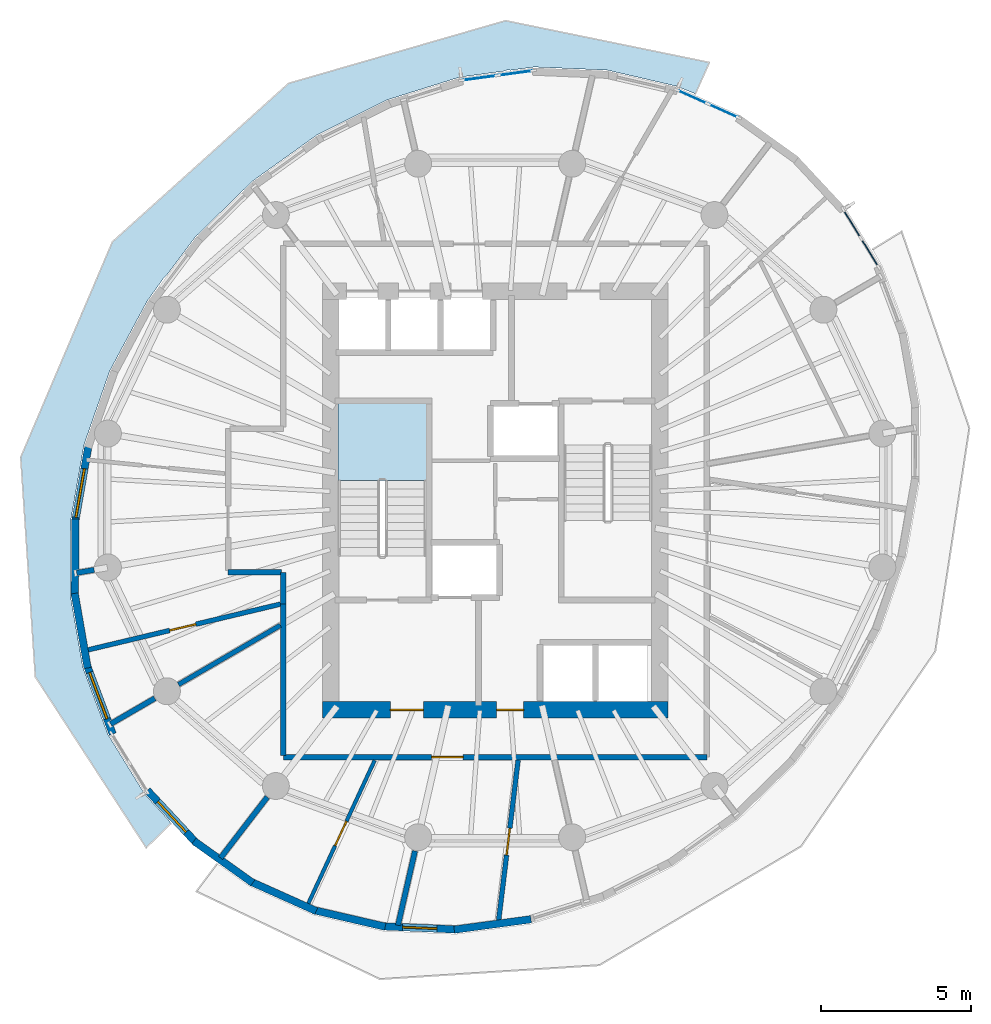
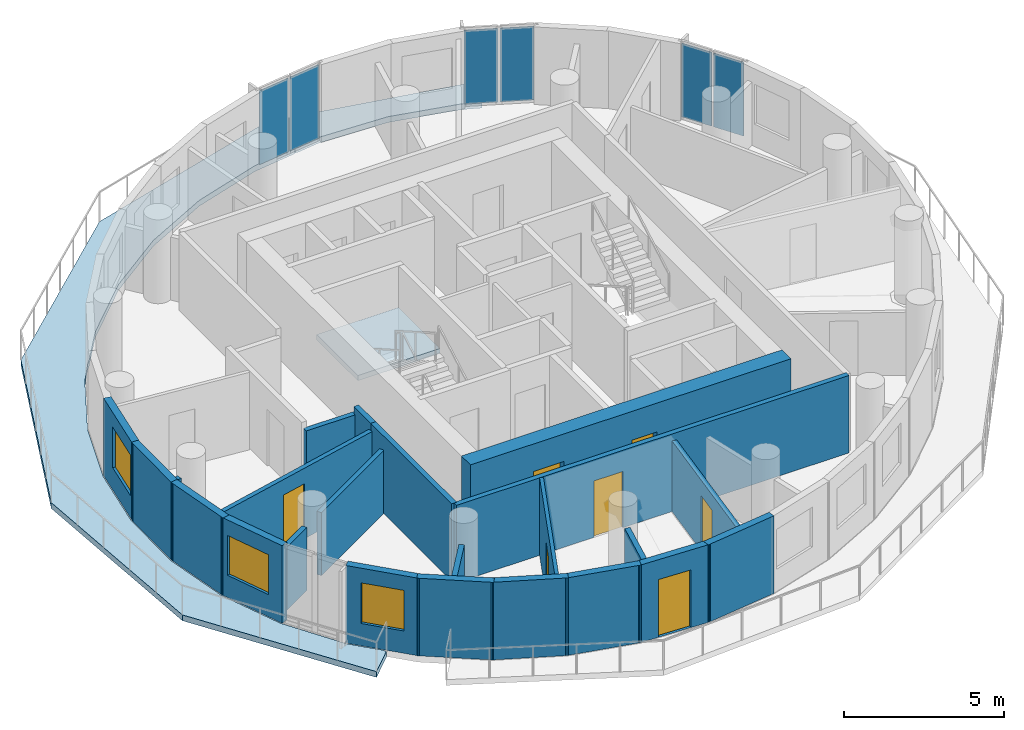
# One storey, part 4 of 10: 23 walls, 7 doors, 6 plates, 3 windows, 2 slabs, 10 openings, 4 elements without a shape of their own.
"""IFC4 building model written with IfcOpenShell, lengths in metres."""

from ifc_helpers import new_model, si_unit, direction, frame, frame_2d, origin, origin_2d, place, context, subcontext, project, spatial, polyline, rectangle, outline, extrude, material, layer, layer_set, type_object, element, fill, aggregate, save


model = new_model("IFC4")

# Units and contexts
model_context = context("Model", 3, precision=1e-05, world=origin(), true_north=direction((0.0, 1.0)))
body_context = subcontext(model_context, "Body", "Model", "MODEL_VIEW")
ifc_project = project(units=[si_unit("LENGTHUNIT", "METRE"), si_unit("AREAUNIT", "SQUARE_METRE"), si_unit("VOLUMEUNIT", "CUBIC_METRE"), si_unit("PLANEANGLEUNIT", "RADIAN"), si_unit("MASSUNIT", "GRAM", prefix="KILO")], contexts=[model_context])

# Site, building, storey
site_placement = place(None, origin())
site = spatial("IfcSite", under=ifc_project, at=site_placement, CompositionType="ELEMENT")
building_placement = place(site_placement, origin())
building = spatial("IfcBuilding", under=site, at=building_placement, Name="Veldorim Arch Residences", CompositionType="ELEMENT")
storey_placement = place(building_placement, frame((0.0, 0.0, 195.0400390625)))
storey = spatial("IfcBuildingStorey", under=building, at=storey_placement, Name="L58", CompositionType="ELEMENT", Elevation=195.0400390625)

# Slab
ifc_material_1 = material(Name="Concrete C40/50", Category="concrete")
ifc_layer_1 = layer(ifc_material_1, 0.219970703125, Name="Planted Crescent Cantilever Balcony Slab 220")
ifc_layer_set_1 = layer_set([ifc_layer_1], Name="Concrete C40/50")
slab_type_1 = type_object("IfcSlabType", Name="Planted Crescent Cantilever Balcony Slab 220", PredefinedType="FLOOR", material=ifc_layer_set_1)
slab_1_placement = place(storey_placement, frame((0.0, 0.0, -0.219970703125)))
element("IfcSlab", 1, at=slab_1_placement, inside=storey, type_object=slab_type_1, Name="L58 planted crescent balcony slab A", PredefinedType="FLOOR", context=body_context, shape_type="SweptSolid", body=[
    extrude(outline(polyline([(38.6943359375, 37.596923828125), (38.08203125, 37.847900390625), (35.75146484375, 38.38916015625), (33.30712890625, 38.4931640625), (32.510986328125, 38.38525390625), (32.41552734375, 38.3974609375), (32.296142578125, 38.356201171875), (30.8232421875, 38.156494140625), (28.37548828125, 37.39013671875), (26.03759765625, 36.216796875), (23.881103515625, 34.672607421875), (21.97119140625, 32.80419921875), (21.01513671875, 31.5322265625), (20.925537109375, 31.44921875), (20.365966796875, 30.66845703125), (19.114013671875, 28.330078125), (18.25341796875, 25.860107421875), (17.810302734375, 23.33349609375), (17.798095703125, 20.8271484375), (18.2177734375, 18.416748046875), (19.05615234375, 16.176025390625), (20.2880859375, 14.1728515625), (21.091552734375, 13.310546875), (21.154541015625, 13.1953125), (20.331787109375, 12.391845703125), (16.625, 18.103515625), (16.1357421875, 25.444091796875), (19.202880859375, 32.650146484375), (25.09033203125, 37.9462890625), (32.3486328125, 40.043701171875), (39.163330078125, 38.64697265625), (38.6943359375, 37.596923828125)])), origin(), (0.0, 0.0, 1.0), 0.219970703125),
])

# Stair, slab
ifc_material_2 = material(Name="Concrete C40/50", Category="concrete")
stair_type = type_object("IfcStairType", Name="Reinforced Concrete Dogleg Exit Staircase", PredefinedType="HALF_TURN_STAIR", material=ifc_material_2)
stair_placement = place(storey_placement, origin())
stair = element("IfcStair", 2, at=stair_placement, inside=storey, type_object=stair_type, Name="L58 Exit Staircase ST-1", PredefinedType="HALF_TURN_STAIR")
ifc_material_3 = material(Name="Concrete C40/50", Category="concrete")
ifc_layer_2 = layer(ifc_material_3, 0.199951171875, Name="Reinforced Concrete Stair Landing 200")
ifc_layer_set_2 = layer_set([ifc_layer_2], Name="Concrete C40/50")
slab_type_2 = type_object("IfcSlabType", Name="Reinforced Concrete Stair Landing 200", PredefinedType="LANDING", material=ifc_layer_set_2)
slab_2_placement = place(storey_placement, frame((0.0, 0.0, 1.39990234375)))
slab_2 = element("IfcSlab", 3, at=slab_2_placement, type_object=slab_type_2, Name="ST-1 landing 1", PredefinedType="LANDING", context=body_context, shape_type="SweptSolid", body=[
    extrude(outline(polyline([(29.7099609375, 24.669921875), (29.7099609375, 27.25), (26.75, 27.25), (26.75, 24.669921875), (29.7099609375, 24.669921875)])), origin(), (0.0, 0.0, 1.0), 0.199951171875),
])
aggregate(stair, [slab_2])

# Curtain wall, plates
ifc_material_4 = material(Name="Aluminium", Category="aluminium")
curtain_wall_type = type_object("IfcCurtainWallType", Name="Zone 4 High-Altitude Unitised Curtain Wall", PredefinedType="NOTDEFINED", material=ifc_material_4)
curtain_wall_1_placement = place(storey_placement, origin())
curtain_wall_1 = element("IfcCurtainWall", 4, at=curtain_wall_1_placement, inside=storey, type_object=curtain_wall_type, Name="L58 unitised curtain wall bay 02", PredefinedType="NOTDEFINED")
ifc_material_5 = material(Name="Laminated Low-E Glass", Category="glass")
ifc_layer_3 = layer(ifc_material_5, 0.030029296875, Name="Zone 4 High-Altitude Unitised Curtain Wall Glazing Panel 30")
ifc_layer_set_3 = layer_set([ifc_layer_3], Name="Laminated Low-E Glass")
plate_type = type_object("IfcPlateType", Name="Zone 4 High-Altitude Unitised Curtain Wall Glazing Panel 30", PredefinedType="CURTAIN_PANEL", material=ifc_layer_set_3)
plate_1_placement = place(storey_placement, frame((38.58984375, 37.494384765625, 0.074951171875), z_axis=(0.0, 0.0, 1.0), x_axis=(0.912467637133, -0.409148886329, 0.0)))
plate_1 = element("IfcPlate", 5, at=plate_1_placement, type_object=plate_type, Name="CW-Z4 panel 1.1", PredefinedType="CURTAIN_PANEL", context=body_context, shape_type="SweptSolid", body=[
    extrude(rectangle(XDim=1.060791015625, YDim=0.030029296875, at=origin_2d()), origin(), (0.0, 0.0, 1.0), 2.81005859375),
])
plate_2_placement = place(storey_placement, frame((39.626220703125, 37.029541015625, 0.074951171875), z_axis=(0.0, 0.0, 1.0), x_axis=(0.912467637133, -0.409148886329, 0.0)))
plate_2 = element("IfcPlate", 6, at=plate_2_placement, type_object=plate_type, Name="CW-Z4 panel 2.1", PredefinedType="CURTAIN_PANEL", context=body_context, shape_type="SweptSolid", body=[
    extrude(rectangle(XDim=1.060791015625, YDim=0.030029296875, at=origin_2d()), origin(), (0.0, 0.0, 1.0), 2.81005859375),
])
aggregate(curtain_wall_1, [plate_1, plate_2])

curtain_wall_2_placement = place(storey_placement, origin())
curtain_wall_2 = element("IfcCurtainWall", 7, at=curtain_wall_2_placement, inside=storey, type_object=curtain_wall_type, Name="L58 unitised curtain wall bay 05", PredefinedType="NOTDEFINED")
plate_3_placement = place(storey_placement, frame((31.479248046875, 38.12939453125, 0.074951171875), z_axis=(0.0, 0.0, 1.0), x_axis=(0.990948225119, 0.134244609331, 0.0)))
plate_3 = element("IfcPlate", 8, at=plate_3_placement, type_object=plate_type, Name="CW-Z4 panel 1.1", PredefinedType="CURTAIN_PANEL", context=body_context, shape_type="SweptSolid", body=[
    extrude(rectangle(XDim=1.138671875, YDim=0.030029296875, at=origin_2d()), origin(), (0.0, 0.0, 1.0), 2.81005859375),
])
plate_4_placement = place(storey_placement, frame((32.681884765625, 38.292236328125, 0.074951171875), z_axis=(0.0, 0.0, 1.0), x_axis=(0.990948225119, 0.134244609331, 0.0)))
plate_4 = element("IfcPlate", 9, at=plate_4_placement, type_object=plate_type, Name="CW-Z4 panel 2.1", PredefinedType="CURTAIN_PANEL", context=body_context, shape_type="SweptSolid", body=[
    extrude(rectangle(XDim=1.138671875, YDim=0.030029296875, at=origin_2d()), origin(), (0.0, 0.0, 1.0), 2.81005859375),
])
aggregate(curtain_wall_2, [plate_3, plate_4])

curtain_wall_3_placement = place(storey_placement, origin())
curtain_wall_3 = element("IfcCurtainWall", 10, at=curtain_wall_3_placement, inside=storey, type_object=curtain_wall_type, Name="L58 unitised curtain wall bay 35", PredefinedType="NOTDEFINED")
plate_5_placement = place(storey_placement, frame((43.932373046875, 33.249267578125, 0.074951171875), z_axis=(0.0, 0.0, 1.0), x_axis=(0.523864415023, -0.851801663929, 0.0)))
plate_5 = element("IfcPlate", 11, at=plate_5_placement, type_object=plate_type, Name="CW-Z4 panel 1.1", PredefinedType="CURTAIN_PANEL", context=body_context, shape_type="SweptSolid", body=[
    extrude(rectangle(XDim=1.060791015625, YDim=0.030029296875, at=origin_2d()), origin(), (0.0, 0.0, 1.0), 2.81005859375),
])
plate_6_placement = place(storey_placement, frame((44.52734375, 32.28173828125, 0.074951171875), z_axis=(0.0, 0.0, 1.0), x_axis=(0.523864415023, -0.851801663929, 0.0)))
plate_6 = element("IfcPlate", 12, at=plate_6_placement, type_object=plate_type, Name="CW-Z4 panel 2.1", PredefinedType="CURTAIN_PANEL", context=body_context, shape_type="SweptSolid", body=[
    extrude(rectangle(XDim=1.060791015625, YDim=0.030029296875, at=origin_2d()), origin(), (0.0, 0.0, 1.0), 2.81005859375),
])
aggregate(curtain_wall_3, [plate_5, plate_6])

# Wall, opening, door
ifc_material_6 = material(Name="Acoustic Gypsum Board", Category="gypsum")
ifc_layer_4 = layer(ifc_material_6, 0.125, Name="Acoustic Stud Room Partition Wall 125")
ifc_layer_set_4 = layer_set([ifc_layer_4], Name="Acoustic Gypsum Board")
wall_type_1 = type_object("IfcWallType", Name="Acoustic Stud Room Partition Wall 125", PredefinedType="PARTITIONING", material=ifc_layer_set_4)
wall_1_placement = place(storey_placement, frame((25.70751953125, 10.427001953125, 0.0), z_axis=(0.0, 0.0, 1.0), x_axis=(0.420587579127, 0.907251943114, 0.0)))
wall_1 = element("IfcWall", 13, at=wall_1_placement, inside=storey, type_object=wall_type_1, Name="L58 interior wall WL-RES-L58-012", PredefinedType="PARTITIONING", context=body_context, shape_type="SweptSolid", body=[
    extrude(rectangle(XDim=5.38330078125, YDim=0.125, at=frame_2d((2.691650390625, 0.0))), origin(), (0.0, 0.0, 1.0), 2.955078125),
])
opening_1_placement = place(wall_1_placement, frame((2.24169921875, 0.0, 0.0)))
opening_1 = element("IfcOpeningElement", 14, at=opening_1_placement, cuts=wall_1, Name="Opening DR-INT", PredefinedType="OPENING", context=body_context, shape_type="SweptSolid", body=[
    extrude(rectangle(XDim=0.89990234375, YDim=2.10009765625, at=frame_2d((0.449951171875, 1.050048828125))), frame((0.0, 0.072509765625, 0.0), z_axis=(0.0, -1.0, 0.0), x_axis=(1.0, 0.0, 0.0)), (0.0, 0.0, 1.0), 0.14501953125),
])
ifc_material_7 = material(Name="Engineered Timber", Category="wood")
door_type_1 = type_object("IfcDoorType", Name="Apartment Internal Room Timber Door 900x2100", OperationType="SINGLE_SWING_LEFT", PredefinedType="DOOR", material=ifc_material_7)
door_1_placement = place(opening_1_placement, origin())
door_1 = element("IfcDoor", 15, at=door_1_placement, inside=storey, type_object=door_type_1, Name="L58 interior door DR-RES-L58-003", OperationType="SINGLE_SWING_LEFT", OverallHeight=2.10009765625, OverallWidth=0.89990234375, PredefinedType="DOOR", context=body_context, shape_type="SweptSolid", body=[
    extrude(rectangle(XDim=0.89990234375, YDim=2.10009765625, at=frame_2d((0.449951171875, 1.050048828125))), frame((0.0, 0.02490234375, 0.0), z_axis=(0.0, -1.0, 0.0), x_axis=(1.0, 0.0, 0.0)), (0.0, 0.0, 1.0), 0.050048828125),
])
fill(opening_1, door_1)

# Walls
ifc_material_8 = material(Name="Lightweight Masonry Block & Gypsum", Category="masonry")
ifc_layer_5 = layer(ifc_material_8, 0.179931640625, Name="Compartment & Corridor Fire-Rated Party Wall 180")
ifc_layer_set_5 = layer_set([ifc_layer_5], Name="Lightweight Masonry Block & Gypsum")
wall_type_2 = type_object("IfcWallType", Name="Compartment & Corridor Fire-Rated Party Wall 180", PredefinedType="PARTITIONING", material=ifc_layer_set_5)
wall_2_placement = place(storey_placement, frame((18.590576171875, 21.680419921875, 0.0), z_axis=(0.0, 0.0, 1.0), x_axis=(-0.985338517658, -0.170610684362, 0.0)))
element("IfcWall", 16, at=wall_2_placement, inside=storey, type_object=wall_type_2, Name="L58 interior wall WL-PIER-L58-09", PredefinedType="PARTITIONING", context=body_context, shape_type="SweptSolid", body=[
    extrude(rectangle(XDim=0.592529296875, YDim=0.179931640625, at=frame_2d((0.29638671875, 0.0))), origin(), (0.0, 0.0, 1.0), 2.4033203125),
])
wall_3_placement = place(storey_placement, frame((20.6181640625, 17.385986328125, 0.0), z_axis=(0.0, 0.0, 1.0), x_axis=(-0.864618511529, -0.502428929821, 0.0)))
element("IfcWall", 17, at=wall_3_placement, inside=storey, type_object=wall_type_2, Name="L58 interior wall WL-PIER-L58-10", PredefinedType="PARTITIONING", context=body_context, shape_type="SweptSolid", body=[
    extrude(rectangle(XDim=1.7060546875, YDim=0.179931640625, at=frame_2d((0.85302734375, 0.0))), origin(), (0.0, 0.0, 1.0), 2.4033203125),
])
wall_4_placement = place(storey_placement, frame((24.380126953125, 14.08203125, 0.0), z_axis=(0.0, 0.0, 1.0), x_axis=(-0.60921849036, -0.79300241551, 0.0)))
element("IfcWall", 18, at=wall_4_placement, inside=storey, type_object=wall_type_2, Name="L58 interior wall WL-PIER-L58-11", PredefinedType="PARTITIONING", context=body_context, shape_type="SweptSolid", body=[
    extrude(rectangle(XDim=2.565185546875, YDim=0.179931640625, at=frame_2d((1.28271484375, 0.0))), origin(), (0.0, 0.0, 1.0), 2.4033203125),
])
wall_5_placement = place(storey_placement, frame((29.320068359375, 12.282470703125, 0.0), z_axis=(0.0, 0.0, 1.0), x_axis=(-0.22299363946, -0.974819899654, 0.0)))
element("IfcWall", 19, at=wall_5_placement, inside=storey, type_object=wall_type_2, Name="L58 interior wall WL-PIER-L58-12", PredefinedType="PARTITIONING", context=body_context, shape_type="SweptSolid", body=[
    extrude(rectangle(XDim=2.552001953125, YDim=0.179931640625, at=frame_2d((1.27587890625, 0.0))), origin(), (0.0, 0.0, 1.0), 2.4033203125),
])

# Wall, opening, door
wall_6_placement = place(storey_placement, frame((39.080078125, 15.419921875, 0.0), z_axis=(0.0, 0.0, 1.0), x_axis=(-1.0, 0.0, 0.0)))
wall_6 = element("IfcWall", 20, at=wall_6_placement, inside=storey, type_object=wall_type_2, Name="L58 interior wall WL-RES-L58-001", PredefinedType="PARTITIONING", context=body_context, shape_type="SweptSolid", body=[
    extrude(rectangle(XDim=14.16015625, YDim=0.179931640625, at=frame_2d((7.080078125, 0.0))), origin(), (0.0, 0.0, 1.0), 2.955078125),
])
opening_2_placement = place(wall_6_placement, frame((8.155029296875, 0.0, 0.0)))
opening_2 = element("IfcOpeningElement", 21, at=opening_2_placement, cuts=wall_6, Name="Opening DR-FLT", PredefinedType="OPENING", context=body_context, shape_type="SweptSolid", body=[
    extrude(rectangle(XDim=1.050048828125, YDim=2.14990234375, at=frame_2d((0.52490234375, 1.074951171875))), frame((0.0, 0.099853515625, 0.0), z_axis=(0.0, -1.0, 0.0), x_axis=(1.0, 0.0, 0.0)), (0.0, 0.0, 1.0), 0.199951171875),
])
ifc_material_9 = material(Name="Fire-Rated Timber", Category="wood")
door_type_2 = type_object("IfcDoorType", Name="Apartment Entrance Solid-Core Fire Door 1050x2150", OperationType="SINGLE_SWING_LEFT", PredefinedType="DOOR", material=ifc_material_9)
door_2_placement = place(opening_2_placement, origin())
door_2 = element("IfcDoor", 22, at=door_2_placement, inside=storey, type_object=door_type_2, Name="L58 interior door DR-RES-L58-001", OperationType="SINGLE_SWING_LEFT", OverallHeight=2.14990234375, OverallWidth=1.050048828125, PredefinedType="DOOR", context=body_context, shape_type="SweptSolid", body=[
    extrude(rectangle(XDim=1.050048828125, YDim=2.14990234375, at=frame_2d((0.52490234375, 1.074951171875))), frame((0.0, 0.02490234375, 0.0), z_axis=(0.0, -1.0, 0.0), x_axis=(1.0, 0.0, 0.0)), (0.0, 0.0, 1.0), 0.050048828125),
])
fill(opening_2, door_2)

# Walls
wall_7_placement = place(storey_placement, frame((24.919921875, 15.47998046875, 0.0), z_axis=(0.0, 0.0, 1.0), x_axis=(0.0, 1.0, 0.0)))
element("IfcWall", 23, at=wall_7_placement, inside=storey, type_object=wall_type_2, Name="L58 interior wall WL-RES-L58-002", PredefinedType="PARTITIONING", context=body_context, shape_type="SweptSolid", body=[
    extrude(rectangle(XDim=5.099609375, YDim=0.179931640625, at=frame_2d((2.5498046875, 0.0))), origin(), (0.0, 0.0, 1.0), 2.955078125),
])
wall_8_placement = place(storey_placement, frame((24.919921875, 20.5390625, 0.0), z_axis=(0.0, 0.0, 1.0), x_axis=(0.0, 1.0, 0.0)))
element("IfcWall", 24, at=wall_8_placement, inside=storey, type_object=wall_type_2, Name="L58 interior wall WL-RES-L58-006", PredefinedType="PARTITIONING", context=body_context, shape_type="SweptSolid", body=[
    extrude(rectangle(XDim=1.06103515625, YDim=0.179931640625, at=frame_2d((0.530517578125, 0.0))), origin(), (0.0, 0.0, 1.0), 2.955078125),
])
wall_9_placement = place(storey_placement, frame((24.860107421875, 21.60009765625, 0.0), z_axis=(0.0, 0.0, 1.0), x_axis=(-1.0, 0.0, 0.0)))
element("IfcWall", 25, at=wall_9_placement, inside=storey, type_object=wall_type_2, Name="L58 interior wall WL-RES-L58-007", PredefinedType="PARTITIONING", context=body_context, shape_type="SweptSolid", body=[
    extrude(rectangle(XDim=1.7900390625, YDim=0.179931640625, at=frame_2d((0.89501953125, 0.0))), origin(), (0.0, 0.0, 1.0), 2.69189453125),
])

# Wall, opening, window
ifc_material_10 = material(Name="Precast concrete C40/50", Category="concrete")
ifc_layer_6 = layer(ifc_material_10, 0.25, Name="Tower Terracotta Spandrel & Pier Wall 250")
ifc_layer_set_6 = layer_set([ifc_layer_6], Name="Precast concrete C40/50")
wall_type_3 = type_object("IfcWallType", Name="Tower Terracotta Spandrel & Pier Wall 250", PredefinedType="SOLIDWALL", material=ifc_layer_set_6)
wall_10_placement = place(storey_placement, frame((17.950439453125, 23.265380859375, 0.0), z_axis=(0.0, 0.0, 1.0), x_axis=(0.172755592744, 0.984964722808, 0.0)))
wall_10 = element("IfcWall", 26, at=wall_10_placement, inside=storey, type_object=wall_type_3, Name="L58 terracotta facade wall 13", PredefinedType="SOLIDWALL", context=body_context, shape_type="SweptSolid", body=[
    extrude(rectangle(XDim=2.651123046875, YDim=0.25, at=frame_2d((1.32568359375, 0.0))), origin(), (0.0, 0.0, 1.0), 2.9599609375),
])
opening_3_placement = place(wall_10_placement, frame((0.175048828125, 0.0, 0.85009765625)))
opening_3 = element("IfcOpeningElement", 27, at=opening_3_placement, cuts=wall_10, Name="Opening WN-03", PredefinedType="OPENING", context=body_context, shape_type="SweptSolid", body=[
    extrude(rectangle(XDim=1.64990234375, YDim=1.550048828125, at=frame_2d((0.824951171875, 0.77490234375))), frame((0.0, 0.135009765625, 0.0), z_axis=(0.0, -1.0, 0.0), x_axis=(1.0, 0.0, 0.0)), (0.0, 0.0, 1.0), 0.27001953125),
])
ifc_material_11 = material(Name="Laminated Low-E Glass", Category="glass")
window_type_1 = type_object("IfcWindowType", Name="Residential Wide Window 1650x1550", PartitioningType="SINGLE_PANEL", PredefinedType="WINDOW", material=ifc_material_11)
window_1_placement = place(opening_3_placement, origin())
window_1 = element("IfcWindow", 28, at=window_1_placement, inside=storey, type_object=window_type_1, Name="L58 solar-control facade window 13", OverallHeight=1.550048828125, OverallWidth=1.64990234375, PartitioningType="SINGLE_PANEL", PredefinedType="WINDOW", context=body_context, shape_type="SweptSolid", body=[
    extrude(rectangle(XDim=1.64990234375, YDim=1.550048828125, at=frame_2d((0.824951171875, 0.77490234375))), frame((0.0, 0.030029296875, 0.0), z_axis=(0.0, -1.0, 0.0), x_axis=(1.0, 0.0, 0.0)), (0.0, 0.0, 1.0), 0.06005859375),
])
fill(opening_3, window_1)

# Walls
wall_11_placement = place(storey_placement, frame((17.947998046875, 20.78369140625, 0.0), z_axis=(0.0, 0.0, 1.0), x_axis=(0.004803561421, 0.999988462832, 0.0)))
element("IfcWall", 29, at=wall_11_placement, inside=storey, type_object=wall_type_3, Name="L58 terracotta facade wall 14", PredefinedType="SOLIDWALL", context=body_context, shape_type="SweptSolid", body=[
    extrude(rectangle(XDim=2.592041015625, YDim=0.25, at=frame_2d((1.2958984375, 0.0))), origin(), (0.0, 0.0, 1.0), 2.9599609375),
])
wall_12_placement = place(storey_placement, frame((18.372802734375, 18.400390625, 0.0), z_axis=(0.0, 0.0, 1.0), x_axis=(-0.17143069214, 0.985196182388, 0.0)))
element("IfcWall", 30, at=wall_12_placement, inside=storey, type_object=wall_type_3, Name="L58 terracotta facade wall 15", PredefinedType="SOLIDWALL", context=body_context, shape_type="SweptSolid", body=[
    extrude(rectangle(XDim=2.5322265625, YDim=0.25, at=frame_2d((1.26611328125, 0.0))), origin(), (0.0, 0.0, 1.0), 2.9599609375),
])

# Wall, opening, window
wall_13_placement = place(storey_placement, frame((19.21142578125, 16.188720703125, 0.0), z_axis=(0.0, 0.0, 1.0), x_axis=(-0.350367491805, 0.93661231077, 0.0)))
wall_13 = element("IfcWall", 31, at=wall_13_placement, inside=storey, type_object=wall_type_3, Name="L58 terracotta facade wall 16", PredefinedType="SOLIDWALL", context=body_context, shape_type="SweptSolid", body=[
    extrude(rectangle(XDim=2.477783203125, YDim=0.25, at=frame_2d((1.23876953125, 0.0))), origin(), (0.0, 0.0, 1.0), 2.9599609375),
])
opening_4_placement = place(wall_13_placement, frame((0.550048828125, 0.0, 0.85009765625)))
opening_4 = element("IfcOpeningElement", 32, at=opening_4_placement, cuts=wall_13, Name="Opening WN-03", PredefinedType="OPENING", context=body_context, shape_type="SweptSolid", body=[
    extrude(rectangle(XDim=1.64990234375, YDim=1.52001953125, at=frame_2d((0.824951171875, 0.760009765625))), frame((0.0, 0.135009765625, 0.0), z_axis=(0.0, -1.0, 0.0), x_axis=(1.0, 0.0, 0.0)), (0.0, 0.0, 1.0), 0.27001953125),
])
window_2_placement = place(opening_4_placement, origin())
window_2 = element("IfcWindow", 33, at=window_2_placement, inside=storey, type_object=window_type_1, Name="L58 solar-control facade window 16", OverallHeight=1.52001953125, OverallWidth=1.64990234375, PartitioningType="SINGLE_PANEL", PredefinedType="WINDOW", context=body_context, shape_type="SweptSolid", body=[
    extrude(rectangle(XDim=1.64990234375, YDim=1.52001953125, at=frame_2d((0.824951171875, 0.760009765625))), frame((0.0, 0.030029296875, 0.0), z_axis=(0.0, -1.0, 0.0), x_axis=(1.0, 0.0, 0.0)), (0.0, 0.0, 1.0), 0.06005859375),
])
fill(opening_4, window_2)

wall_14_placement = place(storey_placement, frame((22.014892578125, 12.539306640625, 0.0), z_axis=(0.0, 0.0, 1.0), x_axis=(-0.681640731319, 0.731687032417, 0.0)))
wall_14 = element("IfcWall", 34, at=wall_14_placement, inside=storey, type_object=wall_type_3, Name="L58 terracotta facade wall 18", PredefinedType="SOLIDWALL", context=body_context, shape_type="SweptSolid", body=[
    extrude(rectangle(XDim=2.414794921875, YDim=0.25, at=frame_2d((1.20751953125, 0.0))), origin(), (0.0, 0.0, 1.0), 2.9599609375),
])
opening_5_placement = place(wall_14_placement, frame((0.507080078125, 0.0, 0.85009765625)))
opening_5 = element("IfcOpeningElement", 35, at=opening_5_placement, cuts=wall_14, Name="Opening WN-02", PredefinedType="OPENING", context=body_context, shape_type="SweptSolid", body=[
    extrude(rectangle(XDim=1.39990234375, YDim=1.550048828125, at=frame_2d((0.699951171875, 0.77490234375))), frame((0.0, 0.135009765625, 0.0), z_axis=(0.0, -1.0, 0.0), x_axis=(1.0, 0.0, 0.0)), (0.0, 0.0, 1.0), 0.27001953125),
])
ifc_material_12 = material(Name="Laminated Low-E Glass", Category="glass")
window_type_2 = type_object("IfcWindowType", Name="Residential Casement Window 1400x1550", PartitioningType="SINGLE_PANEL", PredefinedType="WINDOW", material=ifc_material_12)
window_3_placement = place(opening_5_placement, origin())
window_3 = element("IfcWindow", 36, at=window_3_placement, inside=storey, type_object=window_type_2, Name="L58 solar-control facade window 18", OverallHeight=1.550048828125, OverallWidth=1.39990234375, PartitioningType="SINGLE_PANEL", PredefinedType="WINDOW", context=body_context, shape_type="SweptSolid", body=[
    extrude(rectangle(XDim=1.39990234375, YDim=1.550048828125, at=frame_2d((0.699951171875, 0.77490234375))), frame((0.0, 0.030029296875, 0.0), z_axis=(0.0, -1.0, 0.0), x_axis=(1.0, 0.0, 0.0)), (0.0, 0.0, 1.0), 0.06005859375),
])
fill(opening_5, window_3)

# Walls
wall_15_placement = place(storey_placement, frame((23.893798828125, 11.211669921875, 0.0), z_axis=(0.0, 0.0, 1.0), x_axis=(-0.813794949485, 0.581152114504, 0.0)))
element("IfcWall", 37, at=wall_15_placement, inside=storey, type_object=wall_type_3, Name="L58 terracotta facade wall 19", PredefinedType="SOLIDWALL", context=body_context, shape_type="SweptSolid", body=[
    extrude(rectangle(XDim=2.414794921875, YDim=0.25, at=frame_2d((1.20751953125, 0.0))), origin(), (0.0, 0.0, 1.0), 2.9599609375),
])
wall_16_placement = place(storey_placement, frame((26.01806640625, 10.271484375, 0.0), z_axis=(0.0, 0.0, 1.0), x_axis=(-0.912451283158, 0.409185356365, 0.0)))
element("IfcWall", 38, at=wall_16_placement, inside=storey, type_object=wall_type_3, Name="L58 terracotta facade wall 20", PredefinedType="SOLIDWALL", context=body_context, shape_type="SweptSolid", body=[
    extrude(rectangle(XDim=2.436767578125, YDim=0.25, at=frame_2d((1.21826171875, 0.0))), origin(), (0.0, 0.0, 1.0), 2.9599609375),
])
wall_17_placement = place(storey_placement, frame((28.323974609375, 9.747314453125, 0.0), z_axis=(0.0, 0.0, 1.0), x_axis=(-0.974096425092, 0.226133046286, 0.0)))
element("IfcWall", 39, at=wall_17_placement, inside=storey, type_object=wall_type_3, Name="L58 terracotta facade wall 21", PredefinedType="SOLIDWALL", context=body_context, shape_type="SweptSolid", body=[
    extrude(rectangle(XDim=2.477783203125, YDim=0.25, at=frame_2d((1.23876953125, 0.0))), origin(), (0.0, 0.0, 1.0), 2.9599609375),
])

# Wall, opening, door
wall_18_placement = place(storey_placement, frame((30.741943359375, 9.655029296875, 0.0), z_axis=(0.0, 0.0, 1.0), x_axis=(-0.999099670747, 0.042424614469, 0.0)))
wall_18 = element("IfcWall", 40, at=wall_18_placement, inside=storey, type_object=wall_type_3, Name="L58 terracotta facade wall 22", PredefinedType="SOLIDWALL", context=body_context, shape_type="SweptSolid", body=[
    extrude(rectangle(XDim=2.531982421875, YDim=0.25, at=frame_2d((1.26611328125, 0.0))), origin(), (0.0, 0.0, 1.0), 2.9599609375),
])
opening_6_placement = place(wall_18_placement, frame((0.69091796875, 0.0, 0.0)))
opening_6 = element("IfcOpeningElement", 41, at=opening_6_placement, cuts=wall_18, Name="Opening BL-DR", PredefinedType="OPENING", context=body_context, shape_type="SweptSolid", body=[
    extrude(rectangle(XDim=1.14990234375, YDim=2.199951171875, at=frame_2d((0.574951171875, 1.10009765625))), frame((0.0, 0.135009765625, 0.0), z_axis=(0.0, -1.0, 0.0), x_axis=(1.0, 0.0, 0.0)), (0.0, 0.0, 1.0), 0.27001953125),
])
ifc_material_13 = material(Name="Aluminium & Low-E Glass", Category="aluminium")
door_type_3 = type_object("IfcDoorType", Name="Glazed Planted Balcony Door 1150x2200", OperationType="SINGLE_SWING_LEFT", PredefinedType="DOOR", material=ifc_material_13)
door_3_placement = place(opening_6_placement, origin())
door_3 = element("IfcDoor", 42, at=door_3_placement, inside=storey, type_object=door_type_3, Name="L58 glazed outdoor terrace door BALC-2", OperationType="SINGLE_SWING_RIGHT", OverallHeight=2.199951171875, OverallWidth=1.14990234375, PredefinedType="DOOR", context=body_context, shape_type="SweptSolid", body=[
    extrude(rectangle(XDim=1.14990234375, YDim=2.199951171875, at=frame_2d((0.574951171875, 1.10009765625))), frame((0.0, 0.02490234375, 0.0), z_axis=(0.0, -1.0, 0.0), x_axis=(1.0, 0.0, 0.0)), (0.0, 0.0, 1.0), 0.050048828125),
])
fill(opening_6, door_3)

# Wall
wall_19_placement = place(storey_placement, frame((33.198974609375, 9.997802734375, 0.0), z_axis=(0.0, 0.0, 1.0), x_axis=(-0.990951844978, -0.134217886046, 0.0)))
element("IfcWall", 43, at=wall_19_placement, inside=storey, type_object=wall_type_3, Name="L58 terracotta facade wall 23", PredefinedType="SOLIDWALL", context=body_context, shape_type="SweptSolid", body=[
    extrude(rectangle(XDim=2.592041015625, YDim=0.25, at=frame_2d((1.2958984375, 0.0))), origin(), (0.0, 0.0, 1.0), 2.9599609375),
])

# Wall, openings, doors
ifc_material_14 = material(Name="Concrete C50/60", Category="concrete")
ifc_layer_7 = layer(ifc_material_14, 0.5, Name="Upper Central Core Shear Wall 560")
ifc_layer_set_7 = layer_set([ifc_layer_7], Name="Concrete C50/60")
wall_type_4 = type_object("IfcWallType", Name="Upper Central Core Shear Wall 560", PredefinedType="SHEAR", material=ifc_layer_set_7)
wall_20_placement = place(storey_placement, frame((26.219970703125, 17.0, 0.0), z_axis=(0.0, 0.0, 1.0), x_axis=(1.0, 0.0, 0.0)))
wall_20 = element("IfcWall", 44, at=wall_20_placement, inside=storey, type_object=wall_type_4, Name="L58 central core south shear wall", PredefinedType="SHEAR", context=body_context, shape_type="SweptSolid", body=[
    extrude(rectangle(XDim=11.56005859375, YDim=0.56005859375, at=frame_2d((5.780029296875, 0.0))), origin(), (0.0, 0.0, 1.0), 3.199951171875),
])
opening_7_placement = place(wall_20_placement, frame((2.280029296875, 0.0, 0.0)))
opening_7 = element("IfcOpeningElement", 45, at=opening_7_placement, cuts=wall_20, Name="Opening DR-FFL", PredefinedType="OPENING", context=body_context, shape_type="SweptSolid", body=[
    extrude(rectangle(XDim=1.10009765625, YDim=2.14990234375, at=frame_2d((0.550048828125, 1.074951171875))), frame((0.0, 0.2900390625, 0.0), z_axis=(0.0, -1.0, 0.0), x_axis=(1.0, 0.0, 0.0)), (0.0, 0.0, 1.0), 0.580078125),
])
opening_8_placement = place(wall_20_placement, frame((5.830078125, 0.0, 0.0)))
opening_8 = element("IfcOpeningElement", 46, at=opening_8_placement, cuts=wall_20, Name="Opening DR-SVC", PredefinedType="OPENING", context=body_context, shape_type="SweptSolid", body=[
    extrude(rectangle(XDim=0.89990234375, YDim=2.10009765625, at=frame_2d((0.449951171875, 1.050048828125))), frame((0.0, 0.2900390625, 0.0), z_axis=(0.0, -1.0, 0.0), x_axis=(1.0, 0.0, 0.0)), (0.0, 0.0, 1.0), 0.580078125),
])
ifc_material_15 = material(Name="Fire-Rated Steel & Vision Glass", Category="steel")
door_type_4 = type_object("IfcDoorType", Name="Firefighting Lobby Smoke-Stop Fire Door 1100x2150", OperationType="SINGLE_SWING_LEFT", PredefinedType="DOOR", material=ifc_material_15)
door_4_placement = place(opening_7_placement, origin())
door_4 = element("IfcDoor", 47, at=door_4_placement, inside=storey, type_object=door_type_4, Name="L58 interior door DR-L58-FFL1", OperationType="SINGLE_SWING_RIGHT", OverallHeight=2.14990234375, OverallWidth=1.10009765625, PredefinedType="DOOR", context=body_context, shape_type="SweptSolid", body=[
    extrude(rectangle(XDim=1.10009765625, YDim=2.14990234375, at=frame_2d((0.550048828125, 1.074951171875))), frame((0.0, 0.02490234375, 0.0), z_axis=(0.0, -1.0, 0.0), x_axis=(1.0, 0.0, 0.0)), (0.0, 0.0, 1.0), 0.050048828125),
])
fill(opening_7, door_4)
ifc_material_16 = material(Name="Fire-Rated Steel", Category="steel")
door_type_5 = type_object("IfcDoorType", Name="Riser, Shelter & Plant Room Rated Steel Door 900x2100", OperationType="SINGLE_SWING_LEFT", PredefinedType="DOOR", material=ifc_material_16)
door_5_placement = place(opening_8_placement, origin())
door_5 = element("IfcDoor", 48, at=door_5_placement, inside=storey, type_object=door_type_5, Name="L58 interior door DR-L58-COR-ANC", OperationType="SINGLE_SWING_LEFT", OverallHeight=2.10009765625, OverallWidth=0.89990234375, PredefinedType="DOOR", context=body_context, shape_type="SweptSolid", body=[
    extrude(rectangle(XDim=0.89990234375, YDim=2.10009765625, at=frame_2d((0.449951171875, 1.050048828125))), frame((0.0, 0.02490234375, 0.0), z_axis=(0.0, -1.0, 0.0), x_axis=(1.0, 0.0, 0.0)), (0.0, 0.0, 1.0), 0.050048828125),
])
fill(opening_8, door_5)

# Wall, opening, door
ifc_material_17 = material(Name="Moisture-Resistant Gypsum & Stud", Category="gypsum")
ifc_layer_8 = layer(ifc_material_17, 0.159912109375, Name="Wet-Area Moisture-Resistant Plumbing Wall 160")
ifc_layer_set_8 = layer_set([ifc_layer_8], Name="Moisture-Resistant Gypsum & Stud")
wall_type_5 = type_object("IfcWallType", Name="Wet-Area Moisture-Resistant Plumbing Wall 160", PredefinedType="PLUMBINGWALL", material=ifc_layer_set_8)
wall_21_placement = place(storey_placement, frame((32.767578125, 15.32080078125, 0.0), z_axis=(0.0, 0.0, 1.0), x_axis=(-0.120556883214, -0.992706420806, 0.0)))
wall_21 = element("IfcWall", 49, at=wall_21_placement, inside=storey, type_object=wall_type_5, Name="L58 interior wall WL-RES-L58-011", PredefinedType="PLUMBINGWALL", context=body_context, shape_type="SweptSolid", body=[
    extrude(rectangle(XDim=5.49609375, YDim=0.159912109375, at=frame_2d((2.748046875, 0.0))), origin(), (0.0, 0.0, 1.0), 2.69189453125),
])
opening_9_placement = place(wall_21_placement, frame((2.2978515625, 0.0, 0.0)))
opening_9 = element("IfcOpeningElement", 50, at=opening_9_placement, cuts=wall_21, Name="Opening DR-WC", PredefinedType="OPENING", context=body_context, shape_type="SweptSolid", body=[
    extrude(rectangle(XDim=0.89990234375, YDim=2.10009765625, at=frame_2d((0.449951171875, 1.050048828125))), frame((0.0, 0.08984375, 0.0), z_axis=(0.0, -1.0, 0.0), x_axis=(1.0, 0.0, 0.0)), (0.0, 0.0, 1.0), 0.179931640625),
])
ifc_material_18 = material(Name="Laminate Timber", Category="wood")
door_type_6 = type_object("IfcDoorType", Name="Bathroom & Accessible WC Moisture-Sealed Door 900x2100", OperationType="SINGLE_SWING_LEFT", PredefinedType="DOOR", material=ifc_material_18)
door_6_placement = place(opening_9_placement, origin())
door_6 = element("IfcDoor", 51, at=door_6_placement, inside=storey, type_object=door_type_6, Name="L58 interior door DR-RES-L58-002", OperationType="SINGLE_SWING_RIGHT", OverallHeight=2.10009765625, OverallWidth=0.89990234375, PredefinedType="DOOR", context=body_context, shape_type="SweptSolid", body=[
    extrude(rectangle(XDim=0.89990234375, YDim=2.10009765625, at=frame_2d((0.449951171875, 1.050048828125))), frame((0.0, 0.02490234375, 0.0), z_axis=(0.0, -1.0, 0.0), x_axis=(1.0, 0.0, 0.0)), (0.0, 0.0, 1.0), 0.050048828125),
])
fill(opening_9, door_6)

# Wall
wall_22_placement = place(storey_placement, frame((21.41162109375, 17.846923828125, 0.0), z_axis=(0.0, 0.0, 1.0), x_axis=(0.864603029318, 0.502455571861, 0.0)))
element("IfcWall", 52, at=wall_22_placement, inside=storey, type_object=wall_type_5, Name="L58 interior wall WL-RES-L58-014", PredefinedType="PLUMBINGWALL", context=body_context, shape_type="SweptSolid", body=[
    extrude(rectangle(XDim=3.937744140625, YDim=0.159912109375, at=frame_2d((1.96875, 0.0))), origin(), (0.0, 0.0, 1.0), 2.4033203125),
])

# Wall, opening, door
wall_23_placement = place(storey_placement, frame((24.82275390625, 20.536376953125, 0.0), z_axis=(0.0, 0.0, 1.0), x_axis=(-0.972855711428, -0.231412542317, 0.0)))
wall_23 = element("IfcWall", 53, at=wall_23_placement, inside=storey, type_object=wall_type_5, Name="L58 interior wall WL-RES-L58-024", PredefinedType="PLUMBINGWALL", context=body_context, shape_type="SweptSolid", body=[
    extrude(rectangle(XDim=6.71826171875, YDim=0.159912109375, at=frame_2d((3.359130859375, 0.0))), origin(), (0.0, 0.0, 1.0), 2.69189453125),
])
opening_10_placement = place(wall_23_placement, frame((2.9091796875, 0.0, 0.0)))
opening_10 = element("IfcOpeningElement", 54, at=opening_10_placement, cuts=wall_23, Name="Opening DR-WC", PredefinedType="OPENING", context=body_context, shape_type="SweptSolid", body=[
    extrude(rectangle(XDim=0.89990234375, YDim=2.10009765625, at=frame_2d((0.449951171875, 1.050048828125))), frame((0.0, 0.08984375, 0.0), z_axis=(0.0, -1.0, 0.0), x_axis=(1.0, 0.0, 0.0)), (0.0, 0.0, 1.0), 0.179931640625),
])
door_7_placement = place(opening_10_placement, origin())
door_7 = element("IfcDoor", 55, at=door_7_placement, inside=storey, type_object=door_type_6, Name="L58 interior door DR-RES-L58-014", OperationType="SINGLE_SWING_RIGHT", OverallHeight=2.10009765625, OverallWidth=0.89990234375, PredefinedType="DOOR", context=body_context, shape_type="SweptSolid", body=[
    extrude(rectangle(XDim=0.89990234375, YDim=2.10009765625, at=frame_2d((0.449951171875, 1.050048828125))), frame((0.0, 0.02490234375, 0.0), z_axis=(0.0, -1.0, 0.0), x_axis=(1.0, 0.0, 0.0)), (0.0, 0.0, 1.0), 0.050048828125),
])
fill(opening_10, door_7)

save(model, "model.ifc")
